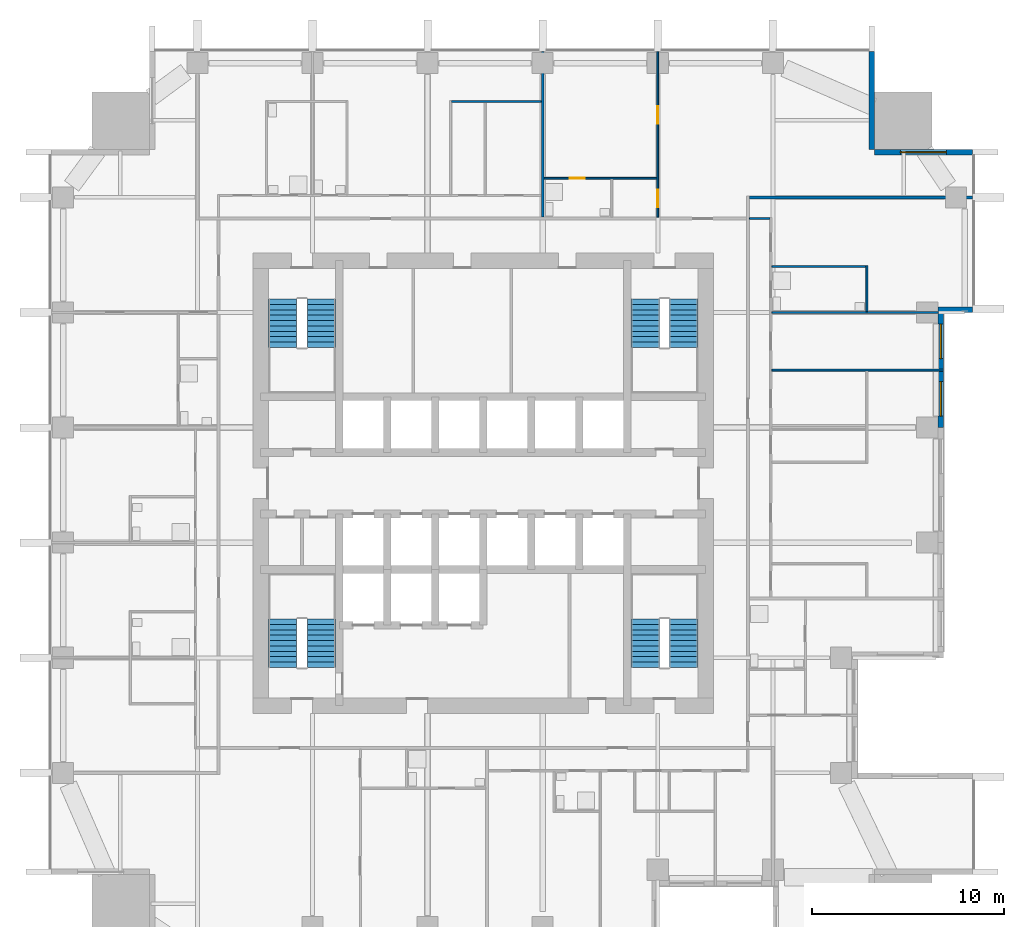
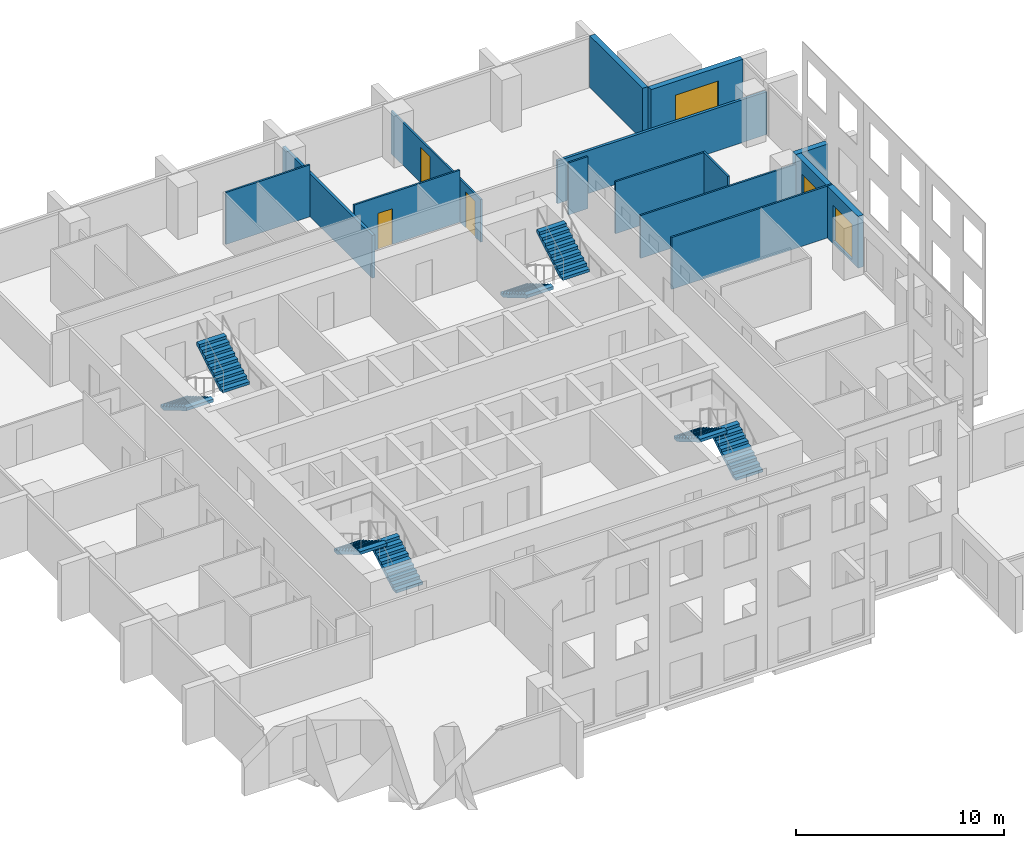
# One storey, part 8 of 13: 14 walls, 8 stair flights, 3 doors, 3 windows, 6 openings, 4 elements without a shape of their own.
"""IFC4 building model written with IfcOpenShell, lengths in metres."""

from ifc_helpers import new_model, si_unit, direction, frame, frame_2d, origin, place, context, subcontext, project, spatial, polyline, rectangle, outline, extrude, material, layer, layer_set, type_object, element, fill, aggregate, save


model = new_model("IFC4")

# Units and contexts
model_context = context("Model", 3, precision=1e-05, world=origin(), true_north=direction((0.0, 1.0)))
body_context = subcontext(model_context, "Body", "Model", "MODEL_VIEW")
ifc_project = project(units=[si_unit("LENGTHUNIT", "METRE"), si_unit("AREAUNIT", "SQUARE_METRE"), si_unit("VOLUMEUNIT", "CUBIC_METRE"), si_unit("PLANEANGLEUNIT", "RADIAN"), si_unit("MASSUNIT", "GRAM", prefix="KILO")], contexts=[model_context])

# Site, building, storey
site_placement = place(None, origin())
site = spatial("IfcSite", under=ifc_project, at=site_placement, CompositionType="ELEMENT")
building_placement = place(site_placement, origin())
building = spatial("IfcBuilding", under=site, at=building_placement, Name="Amberfall Residences", CompositionType="ELEMENT")
storey_placement = place(building_placement, frame((0.0, 0.0, 78.699951171875)))
storey = spatial("IfcBuildingStorey", under=building, at=storey_placement, Name="L20", CompositionType="ELEMENT", Elevation=78.699951171875)

# Wall
ifc_material_1 = material(Name="Pale stone cladding on insulated backing", Category="masonry")
ifc_layer_1 = layer(ifc_material_1, 0.300048828125)
ifc_layer_set_1 = layer_set([ifc_layer_1], Name="Bronze clad wall 300")
wall_type_1 = type_object("IfcWallType", Name="Bronze clad wall 300", PredefinedType="SOLIDWALL", material=ifc_layer_set_1)
wall_1_placement = place(storey_placement, frame((98.199951171875, 54.550048828125, 0.0), z_axis=(0.0, 0.0, 1.0), x_axis=(1.0, 0.0, 0.0)))
element("IfcWall", 1, at=wall_1_placement, inside=storey, type_object=wall_type_1, Name="External wall L20 E", PredefinedType="SOLIDWALL", context=body_context, shape_type="SweptSolid", body=[
    extrude(rectangle(XDim=1.800048828125, YDim=0.300048828125, at=frame_2d((0.89990234375, 0.0))), origin(), (0.0, 0.0, 1.0), 3.050048828125),
])

# Wall, opening, window
wall_2_placement = place(storey_placement, frame((100.0, 62.75, 0.0), z_axis=(0.0, 0.0, 1.0), x_axis=(-1.0, 0.0, 0.0)))
wall_2 = element("IfcWall", 2, at=wall_2_placement, inside=storey, type_object=wall_type_1, Name="External wall L20 NE", PredefinedType="SOLIDWALL", context=body_context, shape_type="SweptSolid", body=[
    extrude(rectangle(XDim=5.10009765625, YDim=0.300048828125, at=frame_2d((2.550048828125, 0.0))), origin(), (0.0, 0.0, 1.0), 3.050048828125),
])
opening_1_placement = place(wall_2_placement, frame((1.35009765625, 0.0, 0.14990234375)))
opening_1 = element("IfcOpeningElement", 3, at=opening_1_placement, cuts=wall_2, Name="Opening WN5", PredefinedType="OPENING", context=body_context, shape_type="SweptSolid", body=[
    extrude(rectangle(XDim=2.39990234375, YDim=2.10009765625, at=frame_2d((1.199951171875, 1.050048828125))), frame((0.0, 0.159912109375, 0.0), z_axis=(0.0, -1.0, 0.0), x_axis=(1.0, 0.0, 0.0)), (0.0, 0.0, 1.0), 0.320068359375),
])
ifc_material_2 = material(Name="Bronze aluminium framed glazing", Category="aluminium")
window_type_1 = type_object("IfcWindowType", Name="Glazed opening 2400 x 2100 bronze", PartitioningType="DOUBLE_PANEL_VERTICAL", PredefinedType="WINDOW", material=ifc_material_2)
window_1_placement = place(opening_1_placement, origin())
window_1 = element("IfcWindow", 4, at=window_1_placement, inside=storey, type_object=window_type_1, Name="Window L20 NE", OverallHeight=2.10009765625, OverallWidth=2.39990234375, PartitioningType="DOUBLE_PANEL_VERTICAL", PredefinedType="WINDOW", context=body_context, shape_type="SweptSolid", body=[
    extrude(rectangle(XDim=2.39990234375, YDim=2.10009765625, at=frame_2d((1.199951171875, 1.050048828125))), frame((0.0, 0.030029296875, 0.0), z_axis=(0.0, -1.0, 0.0), x_axis=(1.0, 0.0, 0.0)), (0.0, 0.0, 1.0), 0.06005859375),
])
fill(opening_1, window_1)

# Wall
wall_3_placement = place(storey_placement, frame((94.75, 62.89990234375, 0.0), z_axis=(0.0, 0.0, 1.0), x_axis=(0.0, 1.0, 0.0)))
element("IfcWall", 5, at=wall_3_placement, inside=storey, type_object=wall_type_1, Name="External wall L20 NE", PredefinedType="SOLIDWALL", context=body_context, shape_type="SweptSolid", body=[
    extrude(rectangle(XDim=5.10009765625, YDim=0.300048828125, at=frame_2d((2.550048828125, 0.0))), origin(), (0.0, 0.0, 1.0), 3.050048828125),
])

# Wall, openings, windows
wall_4_placement = place(storey_placement, frame((98.35009765625, 48.39990234375, 0.0), z_axis=(0.0, 0.0, 1.0), x_axis=(0.0, 1.0, 0.0)))
wall_4 = element("IfcWall", 6, at=wall_4_placement, inside=storey, type_object=wall_type_1, Name="Stone wall L20 E", PredefinedType="SOLIDWALL", context=body_context, shape_type="SweptSolid", body=[
    extrude(rectangle(XDim=6.0, YDim=0.300048828125, at=frame_2d((3.0, 0.0))), origin(), (0.0, 0.0, 1.0), 3.050048828125),
])
opening_2_placement = place(wall_4_placement, frame((0.60009765625, 0.0, 0.14990234375)))
opening_2 = element("IfcOpeningElement", 7, at=opening_2_placement, cuts=wall_4, Name="Opening WN6", PredefinedType="OPENING", context=body_context, shape_type="SweptSolid", body=[
    extrude(rectangle(XDim=1.800048828125, YDim=2.10009765625, at=frame_2d((0.89990234375, 1.050048828125))), frame((0.0, 0.159912109375, 0.0), z_axis=(0.0, -1.0, 0.0), x_axis=(1.0, 0.0, 0.0)), (0.0, 0.0, 1.0), 0.320068359375),
])
opening_3_placement = place(wall_4_placement, frame((3.60009765625, 0.0, 0.14990234375)))
opening_3 = element("IfcOpeningElement", 8, at=opening_3_placement, cuts=wall_4, Name="Opening WN6", PredefinedType="OPENING", context=body_context, shape_type="SweptSolid", body=[
    extrude(rectangle(XDim=1.800048828125, YDim=2.10009765625, at=frame_2d((0.89990234375, 1.050048828125))), frame((0.0, 0.159912109375, 0.0), z_axis=(0.0, -1.0, 0.0), x_axis=(1.0, 0.0, 0.0)), (0.0, 0.0, 1.0), 0.320068359375),
])
window_type_2 = type_object("IfcWindowType", Name="Glazed opening 1800 x 2100 bronze", PartitioningType="DOUBLE_PANEL_VERTICAL", PredefinedType="WINDOW", material=ifc_material_2)
window_2_placement = place(opening_2_placement, origin())
window_2 = element("IfcWindow", 9, at=window_2_placement, inside=storey, type_object=window_type_2, Name="Window L20 E", OverallHeight=2.10009765625, OverallWidth=1.800048828125, PartitioningType="DOUBLE_PANEL_VERTICAL", PredefinedType="WINDOW", context=body_context, shape_type="SweptSolid", body=[
    extrude(rectangle(XDim=1.800048828125, YDim=2.10009765625, at=frame_2d((0.89990234375, 1.050048828125))), frame((0.0, 0.030029296875, 0.0), z_axis=(0.0, -1.0, 0.0), x_axis=(1.0, 0.0, 0.0)), (0.0, 0.0, 1.0), 0.06005859375),
])
fill(opening_2, window_2)
window_3_placement = place(opening_3_placement, origin())
window_3 = element("IfcWindow", 10, at=window_3_placement, inside=storey, type_object=window_type_2, Name="Window L20 E", OverallHeight=2.10009765625, OverallWidth=1.800048828125, PartitioningType="DOUBLE_PANEL_VERTICAL", PredefinedType="WINDOW", context=body_context, shape_type="SweptSolid", body=[
    extrude(rectangle(XDim=1.800048828125, YDim=2.10009765625, at=frame_2d((0.89990234375, 1.050048828125))), frame((0.0, 0.030029296875, 0.0), z_axis=(0.0, -1.0, 0.0), x_axis=(1.0, 0.0, 0.0)), (0.0, 0.0, 1.0), 0.06005859375),
])
fill(opening_3, window_3)

# Wall, openings, doors
ifc_material_3 = material(Name="Gypsum board on metal stud")
ifc_layer_2 = layer(ifc_material_3, 0.10009765625)
ifc_layer_set_2 = layer_set([ifc_layer_2], Name="Flat partition 100")
wall_type_2 = type_object("IfcWallType", Name="Flat partition 100", PredefinedType="PARTITIONING", material=ifc_layer_set_2)
wall_5_placement = place(storey_placement, frame((83.60009765625, 59.375, 0.0), z_axis=(0.0, 0.0, 1.0), x_axis=(0.0, 1.0, 0.0)))
wall_5 = element("IfcWall", 11, at=wall_5_placement, inside=storey, type_object=wall_type_2, Name="Partition 017", PredefinedType="PARTITIONING", context=body_context, shape_type="SweptSolid", body=[
    extrude(rectangle(XDim=8.625, YDim=0.10009765625, at=frame_2d((4.3125, 0.0))), origin(), (0.0, 0.0, 1.0), 2.51611328125),
])
opening_4_placement = place(wall_5_placement, frame((0.52490234375, 0.0, 0.0)))
opening_4 = element("IfcOpeningElement", 12, at=opening_4_placement, cuts=wall_5, Name="Opening D41", PredefinedType="OPENING", context=body_context, shape_type="SweptSolid", body=[
    extrude(rectangle(XDim=0.89990234375, YDim=2.10009765625, at=frame_2d((0.449951171875, 1.050048828125))), frame((0.0, 0.06005859375, 0.0), z_axis=(0.0, -1.0, 0.0), x_axis=(1.0, 0.0, 0.0)), (0.0, 0.0, 1.0), 0.1201171875),
])
opening_5_placement = place(wall_5_placement, frame((4.875, 0.0, 0.0)))
opening_5 = element("IfcOpeningElement", 13, at=opening_5_placement, cuts=wall_5, Name="Opening D41", PredefinedType="OPENING", context=body_context, shape_type="SweptSolid", body=[
    extrude(rectangle(XDim=0.89990234375, YDim=2.10009765625, at=frame_2d((0.449951171875, 1.050048828125))), frame((0.0, 0.06005859375, 0.0), z_axis=(0.0, -1.0, 0.0), x_axis=(1.0, 0.0, 0.0)), (0.0, 0.0, 1.0), 0.1201171875),
])
ifc_material_4 = material(Name="Timber", Category="wood")
door_type_1 = type_object("IfcDoorType", Name="Internal door 900 x 2100", OperationType="SINGLE_SWING_LEFT", PredefinedType="DOOR", material=ifc_material_4)
door_1_placement = place(opening_4_placement, origin())
door_1 = element("IfcDoor", 14, at=door_1_placement, inside=storey, type_object=door_type_1, Name="Door 2006 kitchen", OperationType="SINGLE_SWING_LEFT", OverallHeight=2.10009765625, OverallWidth=0.89990234375, PredefinedType="DOOR", context=body_context, shape_type="SweptSolid", body=[
    extrude(rectangle(XDim=0.89990234375, YDim=2.10009765625, at=frame_2d((0.449951171875, 1.050048828125))), frame((0.0, 0.02490234375, 0.0), z_axis=(0.0, -1.0, 0.0), x_axis=(1.0, 0.0, 0.0)), (0.0, 0.0, 1.0), 0.050048828125),
])
fill(opening_4, door_1)
door_2_placement = place(opening_5_placement, origin())
door_2 = element("IfcDoor", 15, at=door_2_placement, inside=storey, type_object=door_type_1, Name="Door 2006 bedroom1", OperationType="SINGLE_SWING_LEFT", OverallHeight=2.10009765625, OverallWidth=0.89990234375, PredefinedType="DOOR", context=body_context, shape_type="SweptSolid", body=[
    extrude(rectangle(XDim=0.89990234375, YDim=2.10009765625, at=frame_2d((0.449951171875, 1.050048828125))), frame((0.0, 0.02490234375, 0.0), z_axis=(0.0, -1.0, 0.0), x_axis=(1.0, 0.0, 0.0)), (0.0, 0.0, 1.0), 0.050048828125),
])
fill(opening_5, door_2)

# Walls
wall_6_placement = place(storey_placement, frame((94.5, 54.449951171875, 0.0), z_axis=(0.0, 0.0, 1.0), x_axis=(0.0, 1.0, 0.0)))
element("IfcWall", 16, at=wall_6_placement, inside=storey, type_object=wall_type_2, Name="Partition 025", PredefinedType="PARTITIONING", context=body_context, shape_type="SweptSolid", body=[
    extrude(rectangle(XDim=2.400146484375, YDim=0.10009765625, at=frame_2d((1.2001953125, 0.0))), origin(), (0.0, 0.0, 1.0), 3.050048828125),
])
wall_7_placement = place(storey_placement, frame((72.85009765625, 65.39990234375, 0.0), z_axis=(0.0, 0.0, 1.0), x_axis=(1.0, 0.0, 0.0)))
element("IfcWall", 17, at=wall_7_placement, inside=storey, type_object=wall_type_2, Name="Partition 027", PredefinedType="PARTITIONING", context=body_context, shape_type="SweptSolid", body=[
    extrude(rectangle(XDim=4.6748046875, YDim=0.10009765625, at=frame_2d((2.33740234375, 0.0))), origin(), (0.0, 0.0, 1.0), 3.050048828125),
])

# Wall, opening, door
wall_8_placement = place(storey_placement, frame((83.550048828125, 61.39990234375, 0.0), z_axis=(0.0, 0.0, 1.0), x_axis=(-1.0, 0.0, 0.0)))
wall_8 = element("IfcWall", 18, at=wall_8_placement, inside=storey, type_object=wall_type_2, Name="Partition 028", PredefinedType="PARTITIONING", context=body_context, shape_type="SweptSolid", body=[
    extrude(rectangle(XDim=5.875, YDim=0.10009765625, at=frame_2d((2.9375, 0.0))), origin(), (0.0, 0.0, 1.0), 3.050048828125),
])
opening_6_placement = place(wall_8_placement, frame((3.75, 0.0, 0.0)))
opening_6 = element("IfcOpeningElement", 19, at=opening_6_placement, cuts=wall_8, Name="Opening D42", PredefinedType="OPENING", context=body_context, shape_type="SweptSolid", body=[
    extrude(rectangle(XDim=0.800048828125, YDim=2.10009765625, at=frame_2d((0.39990234375, 1.050048828125))), frame((0.0, 0.06005859375, 0.0), z_axis=(0.0, -1.0, 0.0), x_axis=(1.0, 0.0, 0.0)), (0.0, 0.0, 1.0), 0.1201171875),
])
door_type_2 = type_object("IfcDoorType", Name="Bathroom door 800 x 2100", OperationType="SINGLE_SWING_LEFT", PredefinedType="DOOR", material=ifc_material_4)
door_3_placement = place(opening_6_placement, origin())
door_3 = element("IfcDoor", 20, at=door_3_placement, inside=storey, type_object=door_type_2, Name="Door 2006 bath1", OperationType="SINGLE_SWING_LEFT", OverallHeight=2.10009765625, OverallWidth=0.800048828125, PredefinedType="DOOR", context=body_context, shape_type="SweptSolid", body=[
    extrude(rectangle(XDim=0.800048828125, YDim=2.10009765625, at=frame_2d((0.39990234375, 1.050048828125))), frame((0.0, 0.02490234375, 0.0), z_axis=(0.0, -1.0, 0.0), x_axis=(1.0, 0.0, 0.0)), (0.0, 0.0, 1.0), 0.050048828125),
])
fill(opening_6, door_3)

# Walls
wall_9_placement = place(storey_placement, frame((88.375, 59.300048828125, 0.0), z_axis=(0.0, 0.0, 1.0), x_axis=(1.0, 0.0, 0.0)))
element("IfcWall", 21, at=wall_9_placement, inside=storey, type_object=wall_type_2, Name="Partition 030", PredefinedType="PARTITIONING", context=body_context, shape_type="SweptSolid", body=[
    extrude(rectangle(XDim=1.074951171875, YDim=0.10009765625, at=frame_2d((0.53759765625, 0.0))), origin(), (0.0, 0.0, 1.0), 3.050048828125),
])
wall_10_placement = place(storey_placement, frame((89.550048828125, 56.800048828125, 0.0), z_axis=(0.0, 0.0, 1.0), x_axis=(1.0, 0.0, 0.0)))
element("IfcWall", 22, at=wall_10_placement, inside=storey, type_object=wall_type_2, Name="Partition 031", PredefinedType="PARTITIONING", context=body_context, shape_type="SweptSolid", body=[
    extrude(rectangle(XDim=4.89990234375, YDim=0.10009765625, at=frame_2d((2.449951171875, 0.0))), origin(), (0.0, 0.0, 1.0), 3.050048828125),
])
wall_11_placement = place(storey_placement, frame((89.550048828125, 54.39990234375, 0.0), z_axis=(0.0, 0.0, 1.0), x_axis=(1.0, 0.0, 0.0)))
element("IfcWall", 23, at=wall_11_placement, inside=storey, type_object=wall_type_2, Name="Partition 033", PredefinedType="PARTITIONING", context=body_context, shape_type="SweptSolid", body=[
    extrude(rectangle(XDim=8.949951171875, YDim=0.10009765625, at=frame_2d((4.47509765625, 0.0))), origin(), (0.0, 0.0, 1.0), 2.51611328125),
])
wall_12_placement = place(storey_placement, frame((89.550048828125, 51.39990234375, 0.0), z_axis=(0.0, 0.0, 1.0), x_axis=(1.0, 0.0, 0.0)))
element("IfcWall", 24, at=wall_12_placement, inside=storey, type_object=wall_type_2, Name="Partition 035", PredefinedType="PARTITIONING", context=body_context, shape_type="SweptSolid", body=[
    extrude(rectangle(XDim=8.949951171875, YDim=0.10009765625, at=frame_2d((4.47509765625, 0.0))), origin(), (0.0, 0.0, 1.0), 3.050048828125),
])
ifc_material_5 = material(Name="Blockwork, plastered", Category="masonry")
ifc_layer_3 = layer(ifc_material_5, 0.14990234375)
ifc_layer_set_3 = layer_set([ifc_layer_3], Name="Flat separating wall 150")
wall_type_3 = type_object("IfcWallType", Name="Flat separating wall 150", PredefinedType="PARTITIONING", material=ifc_layer_set_3)
wall_13_placement = place(storey_placement, frame((77.60009765625, 59.375, 0.0), z_axis=(0.0, 0.0, 1.0), x_axis=(0.0, 1.0, 0.0)))
element("IfcWall", 25, at=wall_13_placement, inside=storey, type_object=wall_type_3, Name="Separating wall 054", PredefinedType="PARTITIONING", context=body_context, shape_type="SweptSolid", body=[
    extrude(rectangle(XDim=8.625, YDim=0.14990234375, at=frame_2d((4.3125, 0.0))), origin(), (0.0, 0.0, 1.0), 2.51611328125),
])
wall_14_placement = place(storey_placement, frame((88.375, 60.39990234375, 0.0), z_axis=(0.0, 0.0, 1.0), x_axis=(1.0, 0.0, 0.0)))
element("IfcWall", 26, at=wall_14_placement, inside=storey, type_object=wall_type_3, Name="Separating wall 057", PredefinedType="PARTITIONING", context=body_context, shape_type="SweptSolid", body=[
    extrude(rectangle(XDim=11.625, YDim=0.14990234375, at=frame_2d((5.8125, 0.0))), origin(), (0.0, 0.0, 1.0), 2.51611328125),
])

# Stair, stair flights
ifc_material_6 = material(Name="Concrete C40", Category="concrete")
stair_type = type_object("IfcStairType", Name="Exit stair 20 risers 165.0 mm", PredefinedType="HALF_TURN_STAIR", material=ifc_material_6)
stair_1_placement = place(storey_placement, origin())
stair_1 = element("IfcStair", 27, at=stair_1_placement, inside=storey, type_object=stair_type, Name="L20 Exit stair 1", PredefinedType="HALF_TURN_STAIR")
stair_flight_type = type_object("IfcStairFlightType", Name="Stair flight 10 risers 165.0 mm", PredefinedType="STRAIGHT", material=ifc_material_6)
stair_flight_1_placement = place(storey_placement, frame((66.050048828125, 35.89990234375, 0.0), z_axis=(0.0, 0.0, 1.0), x_axis=(0.0, 1.0, 0.0)))
stair_flight_1 = element("IfcStairFlight", 28, at=stair_flight_1_placement, type_object=stair_flight_type, Name="ST3 flight 1", NumberOfRisers=10, NumberOfTreads=9, PredefinedType="STRAIGHT", RiserHeight=0.165, TreadLength=0.28, context=body_context, shape_type="SweptSolid", body=[
    extrude(outline(polyline([(0.0, 0.0), (0.0, 0.1650390625), (0.280029296875, 0.1650390625), (0.280029296875, 0.330078125), (0.56005859375, 0.330078125), (0.56005859375, 0.4951171875), (0.840087890625, 0.4951171875), (0.840087890625, 0.659912109375), (1.1201171875, 0.659912109375), (1.1201171875, 0.824951171875), (1.39990234375, 0.824951171875), (1.39990234375, 0.989990234375), (1.679931640625, 0.989990234375), (1.679931640625, 1.155029296875), (1.9599609375, 1.155029296875), (1.9599609375, 1.320068359375), (2.239990234375, 1.320068359375), (2.239990234375, 1.485107421875), (2.52001953125, 1.485107421875), (2.52001953125, 1.64990234375), (2.52001953125, 1.31103515625), (0.295166015625, 0.0), (0.0, 0.0)])), frame((0.0, 0.75, 0.0), z_axis=(0.0, -1.0, 0.0), x_axis=(1.0, 0.0, 0.0)), (0.0, 0.0, 1.0), 1.5),
])
stair_flight_2_placement = place(storey_placement, frame((64.050048828125, 38.419921875, 1.650146484375), z_axis=(0.0, 0.0, 1.0), x_axis=(0.0, -1.0, 0.0)))
stair_flight_2 = element("IfcStairFlight", 29, at=stair_flight_2_placement, type_object=stair_flight_type, Name="ST3 flight 2", NumberOfRisers=10, NumberOfTreads=9, PredefinedType="STRAIGHT", RiserHeight=0.165, TreadLength=0.28, context=body_context, shape_type="SweptSolid", body=[
    extrude(outline(polyline([(0.0, 0.0), (0.0, 0.1650390625), (0.280029296875, 0.1650390625), (0.280029296875, 0.330078125), (0.56005859375, 0.330078125), (0.56005859375, 0.4951171875), (0.840087890625, 0.4951171875), (0.840087890625, 0.659912109375), (1.1201171875, 0.659912109375), (1.1201171875, 0.824951171875), (1.39990234375, 0.824951171875), (1.39990234375, 0.989990234375), (1.679931640625, 0.989990234375), (1.679931640625, 1.155029296875), (1.9599609375, 1.155029296875), (1.9599609375, 1.320068359375), (2.239990234375, 1.320068359375), (2.239990234375, 1.485107421875), (2.52001953125, 1.485107421875), (2.52001953125, 1.64990234375), (2.52001953125, 1.31103515625), (0.295166015625, 0.0), (0.0, 0.0)])), frame((0.0, 0.75, 0.0), z_axis=(0.0, -1.0, 0.0), x_axis=(1.0, 0.0, 0.0)), (0.0, 0.0, 1.0), 1.5),
])
aggregate(stair_1, [stair_flight_1, stair_flight_2])

stair_2_placement = place(storey_placement, origin())
stair_2 = element("IfcStair", 30, at=stair_2_placement, inside=storey, type_object=stair_type, Name="L20 Exit stair 2", PredefinedType="HALF_TURN_STAIR")
stair_flight_3_placement = place(storey_placement, frame((84.949951171875, 35.89990234375, 0.0), z_axis=(0.0, 0.0, 1.0), x_axis=(0.0, 1.0, 0.0)))
stair_flight_3 = element("IfcStairFlight", 31, at=stair_flight_3_placement, type_object=stair_flight_type, Name="ST3 flight 1", NumberOfRisers=10, NumberOfTreads=9, PredefinedType="STRAIGHT", RiserHeight=0.165, TreadLength=0.28, context=body_context, shape_type="SweptSolid", body=[
    extrude(outline(polyline([(0.0, 0.0), (0.0, 0.1650390625), (0.280029296875, 0.1650390625), (0.280029296875, 0.330078125), (0.56005859375, 0.330078125), (0.56005859375, 0.4951171875), (0.840087890625, 0.4951171875), (0.840087890625, 0.659912109375), (1.1201171875, 0.659912109375), (1.1201171875, 0.824951171875), (1.39990234375, 0.824951171875), (1.39990234375, 0.989990234375), (1.679931640625, 0.989990234375), (1.679931640625, 1.155029296875), (1.9599609375, 1.155029296875), (1.9599609375, 1.320068359375), (2.239990234375, 1.320068359375), (2.239990234375, 1.485107421875), (2.52001953125, 1.485107421875), (2.52001953125, 1.64990234375), (2.52001953125, 1.31103515625), (0.295166015625, 0.0), (0.0, 0.0)])), frame((0.0, 0.75, 0.0), z_axis=(0.0, -1.0, 0.0), x_axis=(1.0, 0.0, 0.0)), (0.0, 0.0, 1.0), 1.5),
])
stair_flight_4_placement = place(storey_placement, frame((82.949951171875, 38.419921875, 1.650146484375), z_axis=(0.0, 0.0, 1.0), x_axis=(0.0, -1.0, 0.0)))
stair_flight_4 = element("IfcStairFlight", 32, at=stair_flight_4_placement, type_object=stair_flight_type, Name="ST3 flight 2", NumberOfRisers=10, NumberOfTreads=9, PredefinedType="STRAIGHT", RiserHeight=0.165, TreadLength=0.28, context=body_context, shape_type="SweptSolid", body=[
    extrude(outline(polyline([(0.0, 0.0), (0.0, 0.1650390625), (0.280029296875, 0.1650390625), (0.280029296875, 0.330078125), (0.56005859375, 0.330078125), (0.56005859375, 0.4951171875), (0.840087890625, 0.4951171875), (0.840087890625, 0.659912109375), (1.1201171875, 0.659912109375), (1.1201171875, 0.824951171875), (1.39990234375, 0.824951171875), (1.39990234375, 0.989990234375), (1.679931640625, 0.989990234375), (1.679931640625, 1.155029296875), (1.9599609375, 1.155029296875), (1.9599609375, 1.320068359375), (2.239990234375, 1.320068359375), (2.239990234375, 1.485107421875), (2.52001953125, 1.485107421875), (2.52001953125, 1.64990234375), (2.52001953125, 1.31103515625), (0.295166015625, 0.0), (0.0, 0.0)])), frame((0.0, 0.75, 0.0), z_axis=(0.0, -1.0, 0.0), x_axis=(1.0, 0.0, 0.0)), (0.0, 0.0, 1.0), 1.5),
])
aggregate(stair_2, [stair_flight_3, stair_flight_4])

stair_3_placement = place(storey_placement, origin())
stair_3 = element("IfcStair", 33, at=stair_3_placement, inside=storey, type_object=stair_type, Name="L20 Exit stair 3", PredefinedType="HALF_TURN_STAIR")
stair_flight_5_placement = place(storey_placement, frame((82.949951171875, 55.10009765625, 0.0), z_axis=(0.0, 0.0, 1.0), x_axis=(0.0, -1.0, 0.0)))
stair_flight_5 = element("IfcStairFlight", 34, at=stair_flight_5_placement, type_object=stair_flight_type, Name="ST3 flight 1", NumberOfRisers=10, NumberOfTreads=9, PredefinedType="STRAIGHT", RiserHeight=0.165, TreadLength=0.28, context=body_context, shape_type="SweptSolid", body=[
    extrude(outline(polyline([(0.0, 0.0), (0.0, 0.1650390625), (0.280029296875, 0.1650390625), (0.280029296875, 0.330078125), (0.56005859375, 0.330078125), (0.56005859375, 0.4951171875), (0.840087890625, 0.4951171875), (0.840087890625, 0.659912109375), (1.1201171875, 0.659912109375), (1.1201171875, 0.824951171875), (1.39990234375, 0.824951171875), (1.39990234375, 0.989990234375), (1.679931640625, 0.989990234375), (1.679931640625, 1.155029296875), (1.9599609375, 1.155029296875), (1.9599609375, 1.320068359375), (2.239990234375, 1.320068359375), (2.239990234375, 1.485107421875), (2.52001953125, 1.485107421875), (2.52001953125, 1.64990234375), (2.52001953125, 1.31103515625), (0.295166015625, 0.0), (0.0, 0.0)])), frame((0.0, 0.75, 0.0), z_axis=(0.0, -1.0, 0.0), x_axis=(1.0, 0.0, 0.0)), (0.0, 0.0, 1.0), 1.5),
])
stair_flight_6_placement = place(storey_placement, frame((84.949951171875, 52.580078125, 1.650146484375), z_axis=(0.0, 0.0, 1.0), x_axis=(0.0, 1.0, 0.0)))
stair_flight_6 = element("IfcStairFlight", 35, at=stair_flight_6_placement, type_object=stair_flight_type, Name="ST3 flight 2", NumberOfRisers=10, NumberOfTreads=9, PredefinedType="STRAIGHT", RiserHeight=0.165, TreadLength=0.28, context=body_context, shape_type="SweptSolid", body=[
    extrude(outline(polyline([(0.0, 0.0), (0.0, 0.1650390625), (0.280029296875, 0.1650390625), (0.280029296875, 0.330078125), (0.56005859375, 0.330078125), (0.56005859375, 0.4951171875), (0.840087890625, 0.4951171875), (0.840087890625, 0.659912109375), (1.1201171875, 0.659912109375), (1.1201171875, 0.824951171875), (1.39990234375, 0.824951171875), (1.39990234375, 0.989990234375), (1.679931640625, 0.989990234375), (1.679931640625, 1.155029296875), (1.9599609375, 1.155029296875), (1.9599609375, 1.320068359375), (2.239990234375, 1.320068359375), (2.239990234375, 1.485107421875), (2.52001953125, 1.485107421875), (2.52001953125, 1.64990234375), (2.52001953125, 1.31103515625), (0.295166015625, 0.0), (0.0, 0.0)])), frame((0.0, 0.75, 0.0), z_axis=(0.0, -1.0, 0.0), x_axis=(1.0, 0.0, 0.0)), (0.0, 0.0, 1.0), 1.5),
])
aggregate(stair_3, [stair_flight_5, stair_flight_6])

stair_4_placement = place(storey_placement, origin())
stair_4 = element("IfcStair", 36, at=stair_4_placement, inside=storey, type_object=stair_type, Name="L20 Exit stair 4", PredefinedType="HALF_TURN_STAIR")
stair_flight_7_placement = place(storey_placement, frame((64.050048828125, 55.10009765625, 0.0), z_axis=(0.0, 0.0, 1.0), x_axis=(0.0, -1.0, 0.0)))
stair_flight_7 = element("IfcStairFlight", 37, at=stair_flight_7_placement, type_object=stair_flight_type, Name="ST3 flight 1", NumberOfRisers=10, NumberOfTreads=9, PredefinedType="STRAIGHT", RiserHeight=0.165, TreadLength=0.28, context=body_context, shape_type="SweptSolid", body=[
    extrude(outline(polyline([(0.0, 0.0), (0.0, 0.1650390625), (0.280029296875, 0.1650390625), (0.280029296875, 0.330078125), (0.56005859375, 0.330078125), (0.56005859375, 0.4951171875), (0.840087890625, 0.4951171875), (0.840087890625, 0.659912109375), (1.1201171875, 0.659912109375), (1.1201171875, 0.824951171875), (1.39990234375, 0.824951171875), (1.39990234375, 0.989990234375), (1.679931640625, 0.989990234375), (1.679931640625, 1.155029296875), (1.9599609375, 1.155029296875), (1.9599609375, 1.320068359375), (2.239990234375, 1.320068359375), (2.239990234375, 1.485107421875), (2.52001953125, 1.485107421875), (2.52001953125, 1.64990234375), (2.52001953125, 1.31103515625), (0.295166015625, 0.0), (0.0, 0.0)])), frame((0.0, 0.75, 0.0), z_axis=(0.0, -1.0, 0.0), x_axis=(1.0, 0.0, 0.0)), (0.0, 0.0, 1.0), 1.5),
])
stair_flight_8_placement = place(storey_placement, frame((66.050048828125, 52.580078125, 1.650146484375), z_axis=(0.0, 0.0, 1.0), x_axis=(0.0, 1.0, 0.0)))
stair_flight_8 = element("IfcStairFlight", 38, at=stair_flight_8_placement, type_object=stair_flight_type, Name="ST3 flight 2", NumberOfRisers=10, NumberOfTreads=9, PredefinedType="STRAIGHT", RiserHeight=0.165, TreadLength=0.28, context=body_context, shape_type="SweptSolid", body=[
    extrude(outline(polyline([(0.0, 0.0), (0.0, 0.1650390625), (0.280029296875, 0.1650390625), (0.280029296875, 0.330078125), (0.56005859375, 0.330078125), (0.56005859375, 0.4951171875), (0.840087890625, 0.4951171875), (0.840087890625, 0.659912109375), (1.1201171875, 0.659912109375), (1.1201171875, 0.824951171875), (1.39990234375, 0.824951171875), (1.39990234375, 0.989990234375), (1.679931640625, 0.989990234375), (1.679931640625, 1.155029296875), (1.9599609375, 1.155029296875), (1.9599609375, 1.320068359375), (2.239990234375, 1.320068359375), (2.239990234375, 1.485107421875), (2.52001953125, 1.485107421875), (2.52001953125, 1.64990234375), (2.52001953125, 1.31103515625), (0.295166015625, 0.0), (0.0, 0.0)])), frame((0.0, 0.75, 0.0), z_axis=(0.0, -1.0, 0.0), x_axis=(1.0, 0.0, 0.0)), (0.0, 0.0, 1.0), 1.5),
])
aggregate(stair_4, [stair_flight_7, stair_flight_8])

save(model, "model.ifc")
